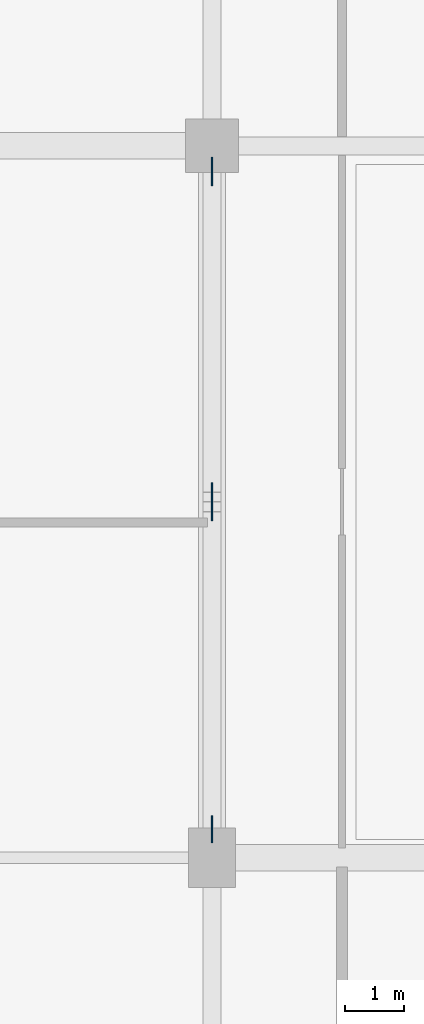
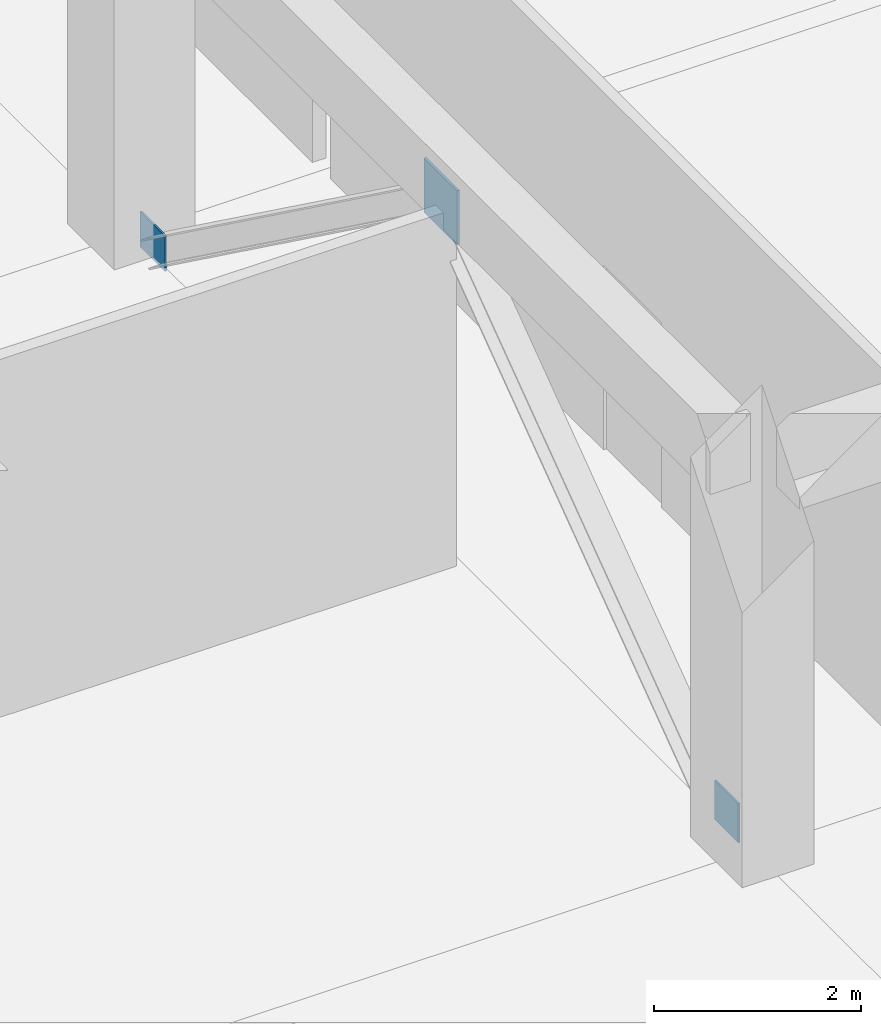
# One storey, part 65 of 116: 3 plates.
"""IFC4 building model written with IfcOpenShell, lengths in metres."""

from ifc_helpers import new_model, si_unit, direction, frame, origin, origin_2d, place, context, subcontext, project, spatial, rectangle, extrude, material, layer, layer_set, type_object, element, save


model = new_model("IFC4")

# Units and contexts
model_context = context("Model", 3, precision=1e-05, world=origin(), true_north=direction((0.0, 1.0)))
body_context = subcontext(model_context, "Body", "Model", "MODEL_VIEW")
ifc_project = project(units=[si_unit("LENGTHUNIT", "METRE"), si_unit("AREAUNIT", "SQUARE_METRE"), si_unit("VOLUMEUNIT", "CUBIC_METRE"), si_unit("PLANEANGLEUNIT", "RADIAN"), si_unit("MASSUNIT", "GRAM", prefix="KILO")], contexts=[model_context])

# Site, building, storey
site_placement = place(None, origin())
site = spatial("IfcSite", under=ifc_project, at=site_placement, CompositionType="ELEMENT")
building_placement = place(site_placement, origin())
building = spatial("IfcBuilding", under=site, at=building_placement, Name="Kazenohara Klinker Stadium", CompositionType="ELEMENT")
storey_placement = place(building_placement, frame((0.0, 0.0, 10.199951171875)))
storey = spatial("IfcBuildingStorey", under=building, at=storey_placement, Name="L02", CompositionType="ELEMENT", Elevation=10.199951171875)

# Plates
ifc_material = material(Name="Steel S355", Category="steel")
ifc_layer_1 = layer(ifc_material, 0.02001953125)
ifc_layer_set_1 = layer_set([ifc_layer_1], Name="Steel S355")
plate_type_1 = type_object("IfcPlateType", Name="PLT-GP01", PredefinedType="USERDEFINED", material=ifc_layer_set_1)
plate_1_placement = place(storey_placement, frame((187.5, 108.47998046875, -0.059814453125), z_axis=(0.0, 0.0, 1.0), x_axis=(1.0, 0.0, 0.0)))
element("IfcPlate", 1, at=plate_1_placement, inside=storey, type_object=plate_type_1, Name="Chevron brace gusset plate GP01 L02 16/K BOT-A", ObjectType="GUSSET PLATE", PredefinedType="USERDEFINED", context=body_context, shape_type="SweptSolid", body=[
    extrude(rectangle(XDim=0.02001953125, YDim=0.4599609375, at=origin_2d()), origin(), (0.0, 0.0, 1.0), 0.4599609375),
])
ifc_layer_2 = layer(ifc_material, 0.02197265625)
ifc_layer_set_2 = layer_set([ifc_layer_2], Name="Steel S355")
plate_type_2 = type_object("IfcPlateType", Name="PLT-GP02", PredefinedType="USERDEFINED", material=ifc_layer_set_2)
plate_2_placement = place(storey_placement, frame((187.5, 119.570068359375, -0.039794921875), z_axis=(0.0, 0.0, 1.0), x_axis=(1.0, 0.0, 0.0)))
element("IfcPlate", 2, at=plate_2_placement, inside=storey, type_object=plate_type_2, Name="Chevron brace gusset plate GP02 L02 16/K BOT-B", ObjectType="GUSSET PLATE", PredefinedType="USERDEFINED", context=body_context, shape_type="SweptSolid", body=[
    extrude(rectangle(XDim=0.02197265625, YDim=0.47998046875, at=origin_2d()), origin(), (0.0, 0.0, 1.0), 0.419921875),
])
ifc_layer_3 = layer(ifc_material, 0.028076171875)
ifc_layer_set_3 = layer_set([ifc_layer_3], Name="Steel S355")
plate_type_3 = type_object("IfcPlateType", Name="PLT-GP06", PredefinedType="USERDEFINED", material=ifc_layer_set_3)
plate_3_placement = place(storey_placement, frame((187.5, 114.0, 3.7001953125), z_axis=(0.0, 0.0, 1.0), x_axis=(1.0, 0.0, 0.0)))
element("IfcPlate", 3, at=plate_3_placement, inside=storey, type_object=plate_type_3, Name="Chevron brace gusset plate GP06 L02 16/K TOP", ObjectType="GUSSET PLATE", PredefinedType="USERDEFINED", context=body_context, shape_type="SweptSolid", body=[
    extrude(rectangle(XDim=0.028076171875, YDim=0.639892578125, at=origin_2d()), origin(), (0.0, 0.0, 1.0), 0.639892578125),
])

save(model, "model.ifc")
